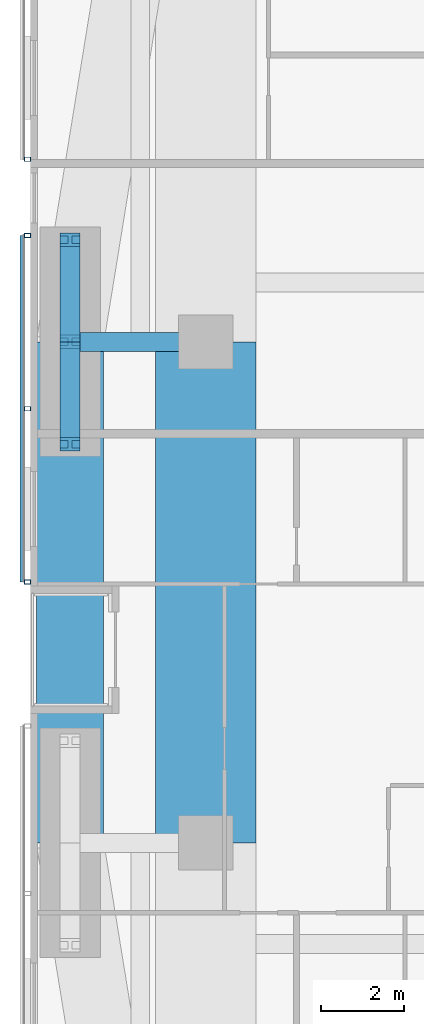
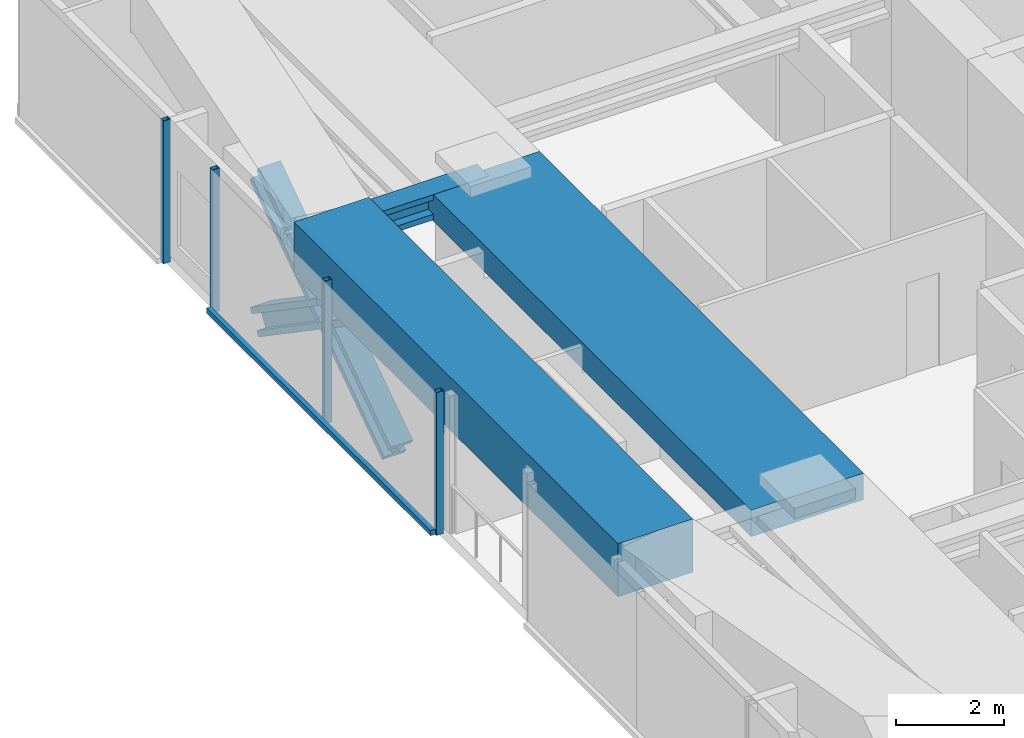
# One storey, part 6 of 23: 9 members, 3 beams, 2 elements without a shape of their own.
"""IFC4 building model written with IfcOpenShell, lengths in metres."""

from ifc_helpers import new_model, si_unit, direction, frame, origin, origin_2d, place, context, subcontext, project, spatial, rectangle, hollow_rectangle, i_section, extrude, material, material_profile, profile_set, type_object, element, aggregate, save


model = new_model("IFC4")

# Units and contexts
model_context = context("Model", 3, precision=1e-05, world=origin(), true_north=direction((0.0, 1.0)))
body_context = subcontext(model_context, "Body", "Model", "MODEL_VIEW")
ifc_project = project(units=[si_unit("LENGTHUNIT", "METRE"), si_unit("AREAUNIT", "SQUARE_METRE"), si_unit("VOLUMEUNIT", "CUBIC_METRE"), si_unit("PLANEANGLEUNIT", "RADIAN"), si_unit("MASSUNIT", "GRAM", prefix="KILO")], contexts=[model_context])

# Site, building, storey
site_placement = place(None, origin())
site = spatial("IfcSite", under=ifc_project, at=site_placement, CompositionType="ELEMENT")
building_placement = place(site_placement, origin())
building = spatial("IfcBuilding", under=site, at=building_placement, Name="Jalousie Tower", CompositionType="ELEMENT")
storey_placement = place(building_placement, frame((0.0, 0.0, 104.85009765625)))
storey = spatial("IfcBuildingStorey", under=building, at=storey_placement, Name="L28", CompositionType="ELEMENT", Elevation=104.85009765625)

# Beam
ifc_material_1 = material(Name="Steel ASTM A992 Grade 50", Category="steel")
ifc_material_profile_1 = material_profile(ifc_material_1, i_section(OverallWidth=0.45458984375, OverallDepth=0.569091796875, WebThickness=0.077880859375, FlangeThickness=0.124755859375, at=origin_2d()), Name="W14X730")
ifc_profile_set_1 = profile_set([ifc_material_profile_1], Name="Steel ASTM A992 Grade 50")
beam_type_1 = type_object("IfcBeamType", Name="LEAN COLLECTOR W14X730", PredefinedType="BEAM", material=ifc_profile_set_1)
beam_1_placement = place(storey_placement, frame((6.949951171875, 25.0, 2.825439453125), z_axis=(1.0, 0.0, 0.0), x_axis=(0.0, 1.0, 0.0)))
element("IfcBeam", 1, at=beam_1_placement, inside=storey, type_object=beam_type_1, Name="Lean collector under L29", PredefinedType="BEAM", context=body_context, shape_type="SweptSolid", body=[
    extrude(i_section(OverallWidth=0.45458984375, OverallDepth=0.569091796875, WebThickness=0.077880859375, FlangeThickness=0.124755859375, at=origin_2d()), origin(), (0.0, 0.0, 1.0), 3.25),
])

# Members
ifc_material_2 = material(Name="Steel ASTM A992 Grade 50", Category="steel")
ifc_material_profile_2 = material_profile(ifc_material_2, i_section(OverallWidth=0.472412109375, OverallDepth=0.5791015625, WebThickness=0.094970703125, FlangeThickness=0.1298828125, at=origin_2d()), Name="W14X808")
ifc_profile_set_2 = profile_set([ifc_material_profile_2], Name="Steel ASTM A992 Grade 50")
member_type_1 = type_object("IfcMemberType", Name="PERIMETER BRACE W14X808", PredefinedType="BRACE", material=ifc_profile_set_2)
for number, where, z_axis, x_axis, name in (
    (2, (6.949951171875, 22.550048828125, -0.60009765625), (0.0, 0.825500916831, 0.564400776321), (-1.0, 0.0, 0.0), "Perimeter brace 13 L28 part 1"),
    (3, (6.949951171875, 25.0, 1.074951171875), (0.0, 0.825500916831, 0.564400776321), (-1.0, 0.0, 0.0), "Perimeter brace 13 L28 part 2"),
    (4, (6.949951171875, 27.449951171875, -0.60009765625), (0.0, -0.825500916831, 0.564400776321), (1.0, 0.0, 0.0), "Perimeter brace 13 L28 part 3"),
    (5, (6.949951171875, 25.0, 1.074951171875), (0.0, -0.825500916831, 0.564400776321), (1.0, 0.0, 0.0), "Perimeter brace 13 L28 part 4"),
):
    element("IfcMember", number, at=place(storey_placement, frame(where, z_axis=z_axis, x_axis=x_axis)), inside=storey, type_object=member_type_1, Name=name, PredefinedType="BRACE", context=body_context, shape_type="SweptSolid", body=[
        extrude(i_section(OverallWidth=0.472412109375, OverallDepth=0.5791015625, WebThickness=0.094970703125, FlangeThickness=0.1298828125, at=origin_2d()), origin(), (0.0, 0.0, 1.0), 2.9677734375),
    ])

# Beams
ifc_material_3 = material(Name="Concrete f'c 40 MPa", Category="concrete")
ifc_material_profile_3 = material_profile(ifc_material_3, rectangle(XDim=1.60009765625, YDim=1.199951171875, at=origin_2d()), Name="RC 1600x1200")
ifc_profile_set_3 = profile_set([ifc_material_profile_3], Name="Concrete f'c 40 MPa")
beam_type_2 = type_object("IfcBeamType", Name="RC BEAM 1600x1200", PredefinedType="BEAM", material=ifc_profile_set_3)
beam_2_placement = place(storey_placement, frame((6.949951171875, 25.0, 2.75), z_axis=(0.0, -1.0, 0.0), x_axis=(1.0, 0.0, 0.0)))
element("IfcBeam", 6, at=beam_2_placement, inside=storey, type_object=beam_type_2, Name="Edge band beam 13-14 under L29", PredefinedType="BEAM", context=body_context, shape_type="SweptSolid", body=[
    extrude(rectangle(XDim=1.60009765625, YDim=1.199951171875, at=origin_2d()), origin(), (0.0, 0.0, 1.0), 12.0),
])
ifc_material_4 = material(Name="Concrete f'c 40 MPa", Category="concrete")
ifc_material_profile_4 = material_profile(ifc_material_4, rectangle(XDim=2.39990234375, YDim=0.60009765625, at=origin_2d()), Name="RC 2400x600")
ifc_profile_set_4 = profile_set([ifc_material_profile_4], Name="Concrete f'c 40 MPa")
beam_type_3 = type_object("IfcBeamType", Name="RC BEAM 2400x600", PredefinedType="BEAM", material=ifc_profile_set_4)
beam_3_placement = place(storey_placement, frame((10.199951171875, 13.0, 2.809814453125), z_axis=(0.0, 1.0, 0.0), x_axis=(-1.0, 0.0, 0.0)))
element("IfcBeam", 7, at=beam_3_placement, inside=storey, type_object=beam_type_3, Name="Floor band beam under L29", PredefinedType="BEAM", context=body_context, shape_type="SweptSolid", body=[
    extrude(rectangle(XDim=2.39990234375, YDim=0.60009765625, at=origin_2d()), origin(), (0.0, 0.0, 1.0), 12.0),
])

# Curtain wall, member
ifc_material_5 = material(Name="Perforated aluminium sheet", Category="aluminium")
curtain_wall_type = type_object("IfcCurtainWallType", Name="SOLAR SCREEN SS-1", PredefinedType="USERDEFINED", material=ifc_material_5)
curtain_wall_1_placement = place(storey_placement, origin())
curtain_wall_1 = element("IfcCurtainWall", 8, at=curtain_wall_1_placement, inside=storey, type_object=curtain_wall_type, Name="Solar screen L28", ObjectType="SOLAR SCREEN SS-1", PredefinedType="USERDEFINED")
ifc_material_6 = material(Name="Steel ASTM A500 Grade C", Category="steel")
ifc_material_profile_5 = material_profile(ifc_material_6, hollow_rectangle(XDim=0.1015625, YDim=0.15234375, WallThickness=0.00634765625, at=origin_2d()), Name="HSS6X4X1/4")
ifc_profile_set_5 = profile_set([ifc_material_profile_5], Name="Steel ASTM A500 Grade C")
member_type_2 = type_object("IfcMemberType", Name="SOLAR SCREEN SS-1 MULLION", PredefinedType="MULLION", material=ifc_profile_set_5)
member_1_placement = place(storey_placement, frame((5.9287109375, 29.375, -0.1201171875), z_axis=(0.0, 0.0, 1.0), x_axis=(0.0, -1.0, 0.0)))
member_1 = element("IfcMember", 9, at=member_1_placement, type_object=member_type_2, Name="SS1 post 2", PredefinedType="MULLION", context=body_context, shape_type="SweptSolid", body=[
    extrude(hollow_rectangle(XDim=0.1015625, YDim=0.15234375, WallThickness=0.00634765625, at=origin_2d()), origin(), (0.0, 0.0, 1.0), 3.22998046875),
])
aggregate(curtain_wall_1, [member_1])

# Curtain wall, members
curtain_wall_2_placement = place(storey_placement, origin())
curtain_wall_2 = element("IfcCurtainWall", 10, at=curtain_wall_2_placement, inside=storey, type_object=curtain_wall_type, Name="Solar screen L28", ObjectType="SOLAR SCREEN SS-1", PredefinedType="USERDEFINED")
member_2_placement = place(storey_placement, frame((5.9287109375, 27.550048828125, -0.1201171875), z_axis=(0.0, 0.0, 1.0), x_axis=(0.0, -1.0, 0.0)))
member_2 = element("IfcMember", 11, at=member_2_placement, type_object=member_type_2, Name="SS1 post 1", PredefinedType="MULLION", context=body_context, shape_type="SweptSolid", body=[
    extrude(hollow_rectangle(XDim=0.1015625, YDim=0.15234375, WallThickness=0.00634765625, at=origin_2d()), origin(), (0.0, 0.0, 1.0), 3.22998046875),
])
member_3_placement = place(storey_placement, frame((5.9287109375, 23.39990234375, -0.1201171875), z_axis=(0.0, 0.0, 1.0), x_axis=(0.0, -1.0, 0.0)))
member_3 = element("IfcMember", 12, at=member_3_placement, type_object=member_type_2, Name="SS1 post 2", PredefinedType="MULLION", context=body_context, shape_type="SweptSolid", body=[
    extrude(hollow_rectangle(XDim=0.1015625, YDim=0.15234375, WallThickness=0.00634765625, at=origin_2d()), origin(), (0.0, 0.0, 1.0), 3.22998046875),
])
member_4_placement = place(storey_placement, frame((5.9287109375, 19.25, -0.1201171875), z_axis=(0.0, 0.0, 1.0), x_axis=(0.0, -1.0, 0.0)))
member_4 = element("IfcMember", 13, at=member_4_placement, type_object=member_type_2, Name="SS1 post 3", PredefinedType="MULLION", context=body_context, shape_type="SweptSolid", body=[
    extrude(hollow_rectangle(XDim=0.1015625, YDim=0.15234375, WallThickness=0.00634765625, at=origin_2d()), origin(), (0.0, 0.0, 1.0), 3.22998046875),
])
ifc_material_7 = material(Name="Extruded aluminium screen rail", Category="aluminium")
ifc_material_profile_6 = material_profile(ifc_material_7, rectangle(XDim=0.1015625, YDim=0.1201171875, at=origin_2d()), Name="RAIL 102x120")
ifc_profile_set_6 = profile_set([ifc_material_profile_6], Name="Extruded aluminium screen rail")
member_type_3 = type_object("IfcMemberType", Name="SOLAR SCREEN SS-1 TRANSOM", PredefinedType="USERDEFINED", material=ifc_profile_set_6)
member_5_placement = place(storey_placement, frame((5.8017578125, 27.550048828125, -0.06005859375), z_axis=(0.0, -1.0, 0.0), x_axis=(1.0, 0.0, 0.0)))
member_5 = element("IfcMember", 14, at=member_5_placement, type_object=member_type_3, Name="SS1 rail", ObjectType="TRANSOM", PredefinedType="USERDEFINED", context=body_context, shape_type="SweptSolid", body=[
    extrude(rectangle(XDim=0.1015625, YDim=0.1201171875, at=origin_2d()), origin(), (0.0, 0.0, 1.0), 8.300048828125),
])
aggregate(curtain_wall_2, [member_2, member_3, member_4, member_5])

save(model, "model.ifc")
